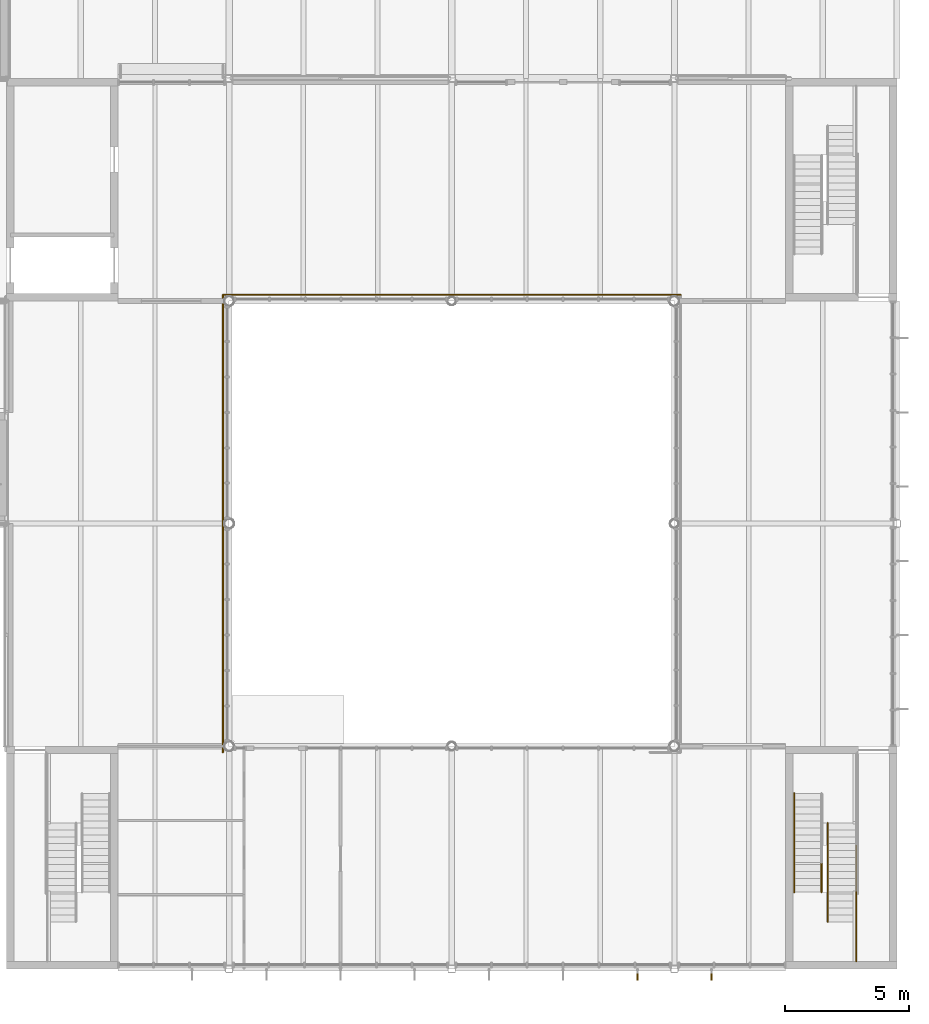
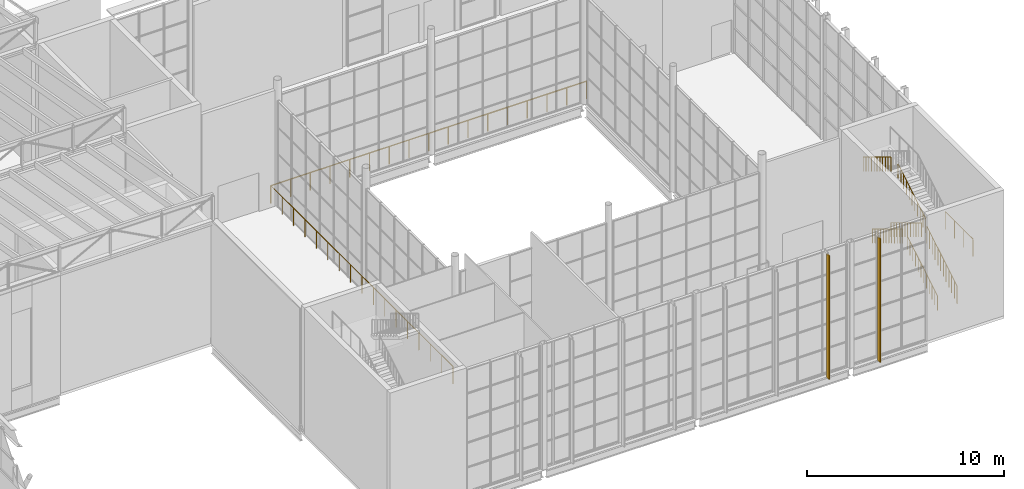
# One storey, part 88 of 90: 9 railings, 2 shading devices.
"""IFC4 building model written with IfcOpenShell, lengths in metres."""

from ifc_helpers import new_model, si_unit, direction, frame, origin, origin_2d, place, context, subcontext, project, spatial, rectangle, circle, extrude, material, type_object, element, save


model = new_model("IFC4")

# Units and contexts
model_context = context("Model", 3, precision=1e-05, world=origin(), true_north=direction((0.0, 1.0)))
body_context = subcontext(model_context, "Body", "Model", "MODEL_VIEW")
ifc_project = project(units=[si_unit("LENGTHUNIT", "METRE"), si_unit("AREAUNIT", "SQUARE_METRE"), si_unit("VOLUMEUNIT", "CUBIC_METRE"), si_unit("PLANEANGLEUNIT", "RADIAN"), si_unit("MASSUNIT", "GRAM", prefix="KILO")], contexts=[model_context])

# Site, building, storey
site_placement = place(None, origin())
site = spatial("IfcSite", under=ifc_project, at=site_placement, CompositionType="ELEMENT")
building_placement = place(site_placement, origin())
building = spatial("IfcBuilding", under=site, at=building_placement, Name="Halyard Row Museum", CompositionType="ELEMENT")
storey_placement = place(building_placement, frame((0.0, 0.0, 13.39990234375)))
storey = spatial("IfcBuildingStorey", under=building, at=storey_placement, Name="L03", CompositionType="ELEMENT", Elevation=13.39990234375)

# Railings
ifc_material_1 = material(Name="Steel Grade 300", Category="steel")
railing_type_1 = type_object("IfcRailingType", Name="Guard GR2 steel balustrade 1100", PredefinedType="GUARDRAIL", material=ifc_material_1)
railing_1_placement = place(storey_placement, frame((106.35009765625, 1.89990234375, 0.169677734375)))
element("IfcRailing", 1, at=railing_1_placement, inside=storey, type_object=railing_type_1, Name="Guard GR058", PredefinedType="GUARDRAIL", context=body_context, shape_type="SweptSolid", body=[
    extrude(circle(Radius=0.02392578125, at=origin_2d()), frame((0.0, 0.0, 1.076171875), z_axis=(0.0, 0.855578329207, 0.517673374428), x_axis=(-1.0, 0.0, 0.0)), (0.0, 0.0, 1.0), 0.327392578125),
    extrude(circle(Radius=0.02392578125, at=origin_2d()), frame((0.0, 0.280029296875, 1.24560546875), z_axis=(0.0, 0.855247904055, 0.518219087461), x_axis=(-1.0, 0.0, 0.0)), (0.0, 0.0, 1.0), 0.327392578125),
    extrude(circle(Radius=0.02392578125, at=origin_2d()), frame((0.0, 0.56005859375, 1.4150390625), z_axis=(0.0, 0.855247904055, 0.518219087461), x_axis=(-1.0, 0.0, 0.0)), (0.0, 0.0, 1.0), 0.327392578125),
    extrude(circle(Radius=0.02392578125, at=origin_2d()), frame((0.0, 0.840087890625, 1.5849609375), z_axis=(0.0, 0.855578329207, 0.517673374428), x_axis=(-1.0, 0.0, 0.0)), (0.0, 0.0, 1.0), 0.327392578125),
    extrude(circle(Radius=0.02392578125, at=origin_2d()), frame((0.0, 1.1201171875, 1.75439453125), z_axis=(0.0, 0.855247904055, 0.518219087461), x_axis=(-1.0, 0.0, 0.0)), (0.0, 0.0, 1.0), 0.327392578125),
    extrude(circle(Radius=0.02392578125, at=origin_2d()), frame((0.0, 1.400146484375, 1.923828125), z_axis=(0.0, 0.855578329207, 0.517673374428), x_axis=(-1.0, 0.0, 0.0)), (0.0, 0.0, 1.0), 0.327392578125),
    extrude(circle(Radius=0.02392578125, at=origin_2d()), frame((0.0, 1.68017578125, 2.09326171875), z_axis=(0.0, 0.855247904055, 0.518219087461), x_axis=(-1.0, 0.0, 0.0)), (0.0, 0.0, 1.0), 0.327392578125),
    extrude(circle(Radius=0.02392578125, at=origin_2d()), frame((0.0, 1.960205078125, 2.26318359375), z_axis=(0.0, 0.855378239897, 0.518003925382), x_axis=(-1.0, 0.0, 0.0)), (0.0, 0.0, 1.0), 0.3271484375),
    extrude(circle(Radius=0.02392578125, at=origin_2d()), frame((0.0, 2.239990234375, 2.4326171875), z_axis=(0.0, 0.855247904055, 0.518219087461), x_axis=(-1.0, 0.0, 0.0)), (0.0, 0.0, 1.0), 0.327392578125),
    extrude(circle(Radius=0.02392578125, at=origin_2d()), frame((0.0, 2.52001953125, 2.60205078125), z_axis=(0.0, 0.855578329207, 0.517673374428), x_axis=(-1.0, 0.0, 0.0)), (0.0, 0.0, 1.0), 0.327392578125),
    extrude(circle(Radius=0.02392578125, at=origin_2d()), frame((0.0, 2.800048828125, 2.771484375), z_axis=(0.0, 0.855247904055, 0.518219087461), x_axis=(-1.0, 0.0, 0.0)), (0.0, 0.0, 1.0), 0.327392578125),
    extrude(circle(Radius=0.02099609375, at=origin_2d()), origin(), (0.0, 0.0, 1.0), 1.052001953125),
    extrude(circle(Radius=0.02099609375, at=origin_2d()), frame((0.0, 0.280029296875, 0.16943359375)), (0.0, 0.0, 1.0), 1.052001953125),
    extrude(circle(Radius=0.02099609375, at=origin_2d()), frame((0.0, 0.56005859375, 0.339111328125)), (0.0, 0.0, 1.0), 1.052001953125),
    extrude(circle(Radius=0.02099609375, at=origin_2d()), frame((0.0, 0.840087890625, 0.5087890625)), (0.0, 0.0, 1.0), 1.052001953125),
    extrude(circle(Radius=0.02099609375, at=origin_2d()), frame((0.0, 1.1201171875, 0.67822265625)), (0.0, 0.0, 1.0), 1.052001953125),
    extrude(circle(Radius=0.02099609375, at=origin_2d()), frame((0.0, 1.400146484375, 0.847900390625)), (0.0, 0.0, 1.0), 1.052001953125),
    extrude(circle(Radius=0.02099609375, at=origin_2d()), frame((0.0, 1.68017578125, 1.017333984375)), (0.0, 0.0, 1.0), 1.052001953125),
    extrude(circle(Radius=0.02099609375, at=origin_2d()), frame((0.0, 1.960205078125, 1.18701171875)), (0.0, 0.0, 1.0), 1.052001953125),
    extrude(circle(Radius=0.02099609375, at=origin_2d()), frame((0.0, 2.239990234375, 1.3564453125)), (0.0, 0.0, 1.0), 1.052001953125),
    extrude(circle(Radius=0.02099609375, at=origin_2d()), frame((0.0, 2.52001953125, 1.526123046875)), (0.0, 0.0, 1.0), 1.052001953125),
    extrude(circle(Radius=0.02099609375, at=origin_2d()), frame((0.0, 2.800048828125, 1.695556640625)), (0.0, 0.0, 1.0), 1.052001953125),
    extrude(circle(Radius=0.02099609375, at=origin_2d()), frame((0.0, 3.080078125, 1.865234375)), (0.0, 0.0, 1.0), 1.052001953125),
])
railing_2_placement = place(storey_placement, frame((106.35009765625, 3.10009765625, 4.069580078125)))
element("IfcRailing", 2, at=railing_2_placement, inside=storey, type_object=railing_type_1, Name="Guard GR061", PredefinedType="GUARDRAIL", context=body_context, shape_type="SweptSolid", body=[
    extrude(circle(Radius=0.02392578125, at=origin_2d()), frame((0.0, 0.0, 1.076171875), z_axis=(0.0, -1.0, 0.0), x_axis=(1.0, 0.0, 0.0)), (0.0, 0.0, 1.0), 2.800048828125),
    extrude(circle(Radius=0.02099609375, at=origin_2d()), origin(), (0.0, 0.0, 1.0), 1.052001953125),
    extrude(circle(Radius=0.02099609375, at=origin_2d()), frame((0.0, -0.933349609375, 0.0)), (0.0, 0.0, 1.0), 1.052001953125),
    extrude(circle(Radius=0.02099609375, at=origin_2d()), frame((0.0, -1.86669921875, 0.0)), (0.0, 0.0, 1.0), 1.052001953125),
    extrude(circle(Radius=0.02099609375, at=origin_2d()), frame((0.0, -2.800048828125, 0.0)), (0.0, 0.0, 1.0), 1.052001953125),
])
railing_3_placement = place(storey_placement, frame((80.75, 8.75, 0.0)))
element("IfcRailing", 3, at=railing_3_placement, inside=storey, type_object=railing_type_1, Name="Guard GR206", PredefinedType="GUARDRAIL", context=body_context, shape_type="SweptSolid", body=[
    extrude(circle(Radius=0.02392578125, at=origin_2d()), frame((0.0, 0.0, 1.076171875), z_axis=(0.0, 1.0, 0.0), x_axis=(-1.0, 0.0, 0.0)), (0.0, 0.0, 1.0), 18.5),
    extrude(circle(Radius=0.02099609375, at=origin_2d()), origin(), (0.0, 0.0, 1.0), 1.052001953125),
    extrude(circle(Radius=0.02099609375, at=origin_2d()), frame((0.0, 1.15625, 0.0)), (0.0, 0.0, 1.0), 1.052001953125),
    extrude(circle(Radius=0.02099609375, at=origin_2d()), frame((0.0, 2.3125, 0.0)), (0.0, 0.0, 1.0), 1.052001953125),
    extrude(circle(Radius=0.02099609375, at=origin_2d()), frame((0.0, 3.46875, 0.0)), (0.0, 0.0, 1.0), 1.052001953125),
    extrude(circle(Radius=0.02099609375, at=origin_2d()), frame((0.0, 4.625, 0.0)), (0.0, 0.0, 1.0), 1.052001953125),
    extrude(circle(Radius=0.02099609375, at=origin_2d()), frame((0.0, 5.78125, 0.0)), (0.0, 0.0, 1.0), 1.052001953125),
    extrude(circle(Radius=0.02099609375, at=origin_2d()), frame((0.0, 6.9375, 0.0)), (0.0, 0.0, 1.0), 1.052001953125),
    extrude(circle(Radius=0.02099609375, at=origin_2d()), frame((0.0, 8.09375, 0.0)), (0.0, 0.0, 1.0), 1.052001953125),
    extrude(circle(Radius=0.02099609375, at=origin_2d()), frame((0.0, 9.25, 0.0)), (0.0, 0.0, 1.0), 1.052001953125),
    extrude(circle(Radius=0.02099609375, at=origin_2d()), frame((0.0, 10.40625, 0.0)), (0.0, 0.0, 1.0), 1.052001953125),
    extrude(circle(Radius=0.02099609375, at=origin_2d()), frame((0.0, 11.5625, 0.0)), (0.0, 0.0, 1.0), 1.052001953125),
    extrude(circle(Radius=0.02099609375, at=origin_2d()), frame((0.0, 12.71875, 0.0)), (0.0, 0.0, 1.0), 1.052001953125),
    extrude(circle(Radius=0.02099609375, at=origin_2d()), frame((0.0, 13.875, 0.0)), (0.0, 0.0, 1.0), 1.052001953125),
    extrude(circle(Radius=0.02099609375, at=origin_2d()), frame((0.0, 15.03125, 0.0)), (0.0, 0.0, 1.0), 1.052001953125),
    extrude(circle(Radius=0.02099609375, at=origin_2d()), frame((0.0, 16.1875, 0.0)), (0.0, 0.0, 1.0), 1.052001953125),
    extrude(circle(Radius=0.02099609375, at=origin_2d()), frame((0.0, 17.34375, 0.0)), (0.0, 0.0, 1.0), 1.052001953125),
    extrude(circle(Radius=0.02099609375, at=origin_2d()), frame((0.0, 18.5, 0.0)), (0.0, 0.0, 1.0), 1.052001953125),
])
railing_4_placement = place(storey_placement, frame((80.75, 27.25, 0.0)))
element("IfcRailing", 4, at=railing_4_placement, inside=storey, type_object=railing_type_1, Name="Guard GR209", PredefinedType="GUARDRAIL", context=body_context, shape_type="SweptSolid", body=[
    extrude(circle(Radius=0.02392578125, at=origin_2d()), frame((0.0, 0.0, 1.076171875), z_axis=(1.0, 0.0, 0.0), x_axis=(0.0, 1.0, 0.0)), (0.0, 0.0, 1.0), 18.5),
    extrude(circle(Radius=0.02099609375, at=origin_2d()), origin(), (0.0, 0.0, 1.0), 1.052001953125),
    extrude(circle(Radius=0.02099609375, at=origin_2d()), frame((1.15625, 0.0, 0.0)), (0.0, 0.0, 1.0), 1.052001953125),
    extrude(circle(Radius=0.02099609375, at=origin_2d()), frame((2.3125, 0.0, 0.0)), (0.0, 0.0, 1.0), 1.052001953125),
    extrude(circle(Radius=0.02099609375, at=origin_2d()), frame((3.46875, 0.0, 0.0)), (0.0, 0.0, 1.0), 1.052001953125),
    extrude(circle(Radius=0.02099609375, at=origin_2d()), frame((4.625, 0.0, 0.0)), (0.0, 0.0, 1.0), 1.052001953125),
    extrude(circle(Radius=0.02099609375, at=origin_2d()), frame((5.78125, 0.0, 0.0)), (0.0, 0.0, 1.0), 1.052001953125),
    extrude(circle(Radius=0.02099609375, at=origin_2d()), frame((6.9375, 0.0, 0.0)), (0.0, 0.0, 1.0), 1.052001953125),
    extrude(circle(Radius=0.02099609375, at=origin_2d()), frame((8.09375, 0.0, 0.0)), (0.0, 0.0, 1.0), 1.052001953125),
    extrude(circle(Radius=0.02099609375, at=origin_2d()), frame((9.25, 0.0, 0.0)), (0.0, 0.0, 1.0), 1.052001953125),
    extrude(circle(Radius=0.02099609375, at=origin_2d()), frame((10.40625, 0.0, 0.0)), (0.0, 0.0, 1.0), 1.052001953125),
    extrude(circle(Radius=0.02099609375, at=origin_2d()), frame((11.5625, 0.0, 0.0)), (0.0, 0.0, 1.0), 1.052001953125),
    extrude(circle(Radius=0.02099609375, at=origin_2d()), frame((12.71875, 0.0, 0.0)), (0.0, 0.0, 1.0), 1.052001953125),
    extrude(circle(Radius=0.02099609375, at=origin_2d()), frame((13.875, 0.0, 0.0)), (0.0, 0.0, 1.0), 1.052001953125),
    extrude(circle(Radius=0.02099609375, at=origin_2d()), frame((15.03125, 0.0, 0.0)), (0.0, 0.0, 1.0), 1.052001953125),
    extrude(circle(Radius=0.02099609375, at=origin_2d()), frame((16.1875, 0.0, 0.0)), (0.0, 0.0, 1.0), 1.052001953125),
    extrude(circle(Radius=0.02099609375, at=origin_2d()), frame((17.34375, 0.0, 0.0)), (0.0, 0.0, 1.0), 1.052001953125),
    extrude(circle(Radius=0.02099609375, at=origin_2d()), frame((18.5, 0.0, 0.0)), (0.0, 0.0, 1.0), 1.052001953125),
])
ifc_material_2 = material(Name="Steel Grade 300", Category="steel")
railing_type_2 = type_object("IfcRailingType", Name="Handrail HR2 steel 900", PredefinedType="HANDRAIL", material=ifc_material_2)
railing_5_placement = place(storey_placement, frame((105.199951171875, 1.89990234375, 0.169677734375)))
element("IfcRailing", 5, at=railing_5_placement, inside=storey, type_object=railing_type_2, Name="Handrail HR085", PredefinedType="HANDRAIL", context=body_context, shape_type="SweptSolid", body=[
    extrude(circle(Radius=0.02392578125, at=origin_2d()), frame((0.0, 0.0, 0.8759765625), z_axis=(0.0, 0.855578329207, 0.517673374428), x_axis=(-1.0, 0.0, 0.0)), (0.0, 0.0, 1.0), 0.327392578125),
    extrude(circle(Radius=0.02392578125, at=origin_2d()), frame((0.0, 0.280029296875, 1.04541015625), z_axis=(0.0, 0.855247904055, 0.518219087461), x_axis=(-1.0, 0.0, 0.0)), (0.0, 0.0, 1.0), 0.327392578125),
    extrude(circle(Radius=0.02392578125, at=origin_2d()), frame((0.0, 0.56005859375, 1.21484375), z_axis=(0.0, 0.855247904055, 0.518219087461), x_axis=(-1.0, 0.0, 0.0)), (0.0, 0.0, 1.0), 0.327392578125),
    extrude(circle(Radius=0.02392578125, at=origin_2d()), frame((0.0, 0.840087890625, 1.384765625), z_axis=(0.0, 0.855578329207, 0.517673374428), x_axis=(-1.0, 0.0, 0.0)), (0.0, 0.0, 1.0), 0.327392578125),
    extrude(circle(Radius=0.02392578125, at=origin_2d()), frame((0.0, 1.1201171875, 1.55419921875), z_axis=(0.0, 0.855247904055, 0.518219087461), x_axis=(-1.0, 0.0, 0.0)), (0.0, 0.0, 1.0), 0.327392578125),
    extrude(circle(Radius=0.02392578125, at=origin_2d()), frame((0.0, 1.400146484375, 1.7236328125), z_axis=(0.0, 0.855578329207, 0.517673374428), x_axis=(-1.0, 0.0, 0.0)), (0.0, 0.0, 1.0), 0.327392578125),
    extrude(circle(Radius=0.02392578125, at=origin_2d()), frame((0.0, 1.68017578125, 1.89306640625), z_axis=(0.0, 0.855247904055, 0.518219087461), x_axis=(-1.0, 0.0, 0.0)), (0.0, 0.0, 1.0), 0.327392578125),
    extrude(circle(Radius=0.02392578125, at=origin_2d()), frame((0.0, 1.960205078125, 2.06298828125), z_axis=(0.0, 0.855378239897, 0.518003925382), x_axis=(-1.0, 0.0, 0.0)), (0.0, 0.0, 1.0), 0.3271484375),
    extrude(circle(Radius=0.02392578125, at=origin_2d()), frame((0.0, 2.239990234375, 2.232421875), z_axis=(0.0, 0.855247904055, 0.518219087461), x_axis=(-1.0, 0.0, 0.0)), (0.0, 0.0, 1.0), 0.327392578125),
    extrude(circle(Radius=0.02392578125, at=origin_2d()), frame((0.0, 2.52001953125, 2.40185546875), z_axis=(0.0, 0.855578329207, 0.517673374428), x_axis=(-1.0, 0.0, 0.0)), (0.0, 0.0, 1.0), 0.327392578125),
    extrude(circle(Radius=0.02392578125, at=origin_2d()), frame((0.0, 2.800048828125, 2.5712890625), z_axis=(0.0, 0.855247904055, 0.518219087461), x_axis=(-1.0, 0.0, 0.0)), (0.0, 0.0, 1.0), 0.327392578125),
    extrude(circle(Radius=0.02099609375, at=origin_2d()), origin(), (0.0, 0.0, 1.0), 0.851806640625),
    extrude(circle(Radius=0.02099609375, at=origin_2d()), frame((0.0, 0.280029296875, 0.16943359375)), (0.0, 0.0, 1.0), 0.851806640625),
    extrude(circle(Radius=0.02099609375, at=origin_2d()), frame((0.0, 0.56005859375, 0.339111328125)), (0.0, 0.0, 1.0), 0.851806640625),
    extrude(circle(Radius=0.02099609375, at=origin_2d()), frame((0.0, 0.840087890625, 0.5087890625)), (0.0, 0.0, 1.0), 0.851806640625),
    extrude(circle(Radius=0.02099609375, at=origin_2d()), frame((0.0, 1.1201171875, 0.67822265625)), (0.0, 0.0, 1.0), 0.851806640625),
    extrude(circle(Radius=0.02099609375, at=origin_2d()), frame((0.0, 1.400146484375, 0.847900390625)), (0.0, 0.0, 1.0), 0.851806640625),
    extrude(circle(Radius=0.02099609375, at=origin_2d()), frame((0.0, 1.68017578125, 1.017333984375)), (0.0, 0.0, 1.0), 0.851806640625),
    extrude(circle(Radius=0.02099609375, at=origin_2d()), frame((0.0, 1.960205078125, 1.18701171875)), (0.0, 0.0, 1.0), 0.851806640625),
    extrude(circle(Radius=0.02099609375, at=origin_2d()), frame((0.0, 2.239990234375, 1.3564453125)), (0.0, 0.0, 1.0), 0.851806640625),
    extrude(circle(Radius=0.02099609375, at=origin_2d()), frame((0.0, 2.52001953125, 1.526123046875)), (0.0, 0.0, 1.0), 0.851806640625),
    extrude(circle(Radius=0.02099609375, at=origin_2d()), frame((0.0, 2.800048828125, 1.695556640625)), (0.0, 0.0, 1.0), 0.851806640625),
    extrude(circle(Radius=0.02099609375, at=origin_2d()), frame((0.0, 3.080078125, 1.865234375)), (0.0, 0.0, 1.0), 0.851806640625),
])
railing_6_placement = place(storey_placement, frame((103.85009765625, 6.179931640625, 2.204345703125)))
element("IfcRailing", 6, at=railing_6_placement, inside=storey, type_object=railing_type_2, Name="Handrail HR086", PredefinedType="HANDRAIL", context=body_context, shape_type="SweptSolid", body=[
    extrude(circle(Radius=0.02392578125, at=origin_2d()), frame((0.0, 0.0, 0.8759765625), z_axis=(0.0, -0.855247904055, 0.518219087461), x_axis=(1.0, 0.0, 0.0)), (0.0, 0.0, 1.0), 0.327392578125),
    extrude(circle(Radius=0.02392578125, at=origin_2d()), frame((0.0, -0.280029296875, 1.04541015625), z_axis=(0.0, -0.855378239897, 0.518003925382), x_axis=(1.0, 0.0, 0.0)), (0.0, 0.0, 1.0), 0.3271484375),
    extrude(circle(Radius=0.02392578125, at=origin_2d()), frame((0.0, -0.559814453125, 1.21484375), z_axis=(0.0, -0.855247904055, 0.518219087461), x_axis=(1.0, 0.0, 0.0)), (0.0, 0.0, 1.0), 0.327392578125),
    extrude(circle(Radius=0.02392578125, at=origin_2d()), frame((0.0, -0.83984375, 1.384765625), z_axis=(0.0, -0.855247904055, 0.518219087461), x_axis=(1.0, 0.0, 0.0)), (0.0, 0.0, 1.0), 0.327392578125),
    extrude(circle(Radius=0.02392578125, at=origin_2d()), frame((0.0, -1.119873046875, 1.55419921875), z_axis=(0.0, -0.855578329207, 0.517673374428), x_axis=(1.0, 0.0, 0.0)), (0.0, 0.0, 1.0), 0.327392578125),
    extrude(circle(Radius=0.02392578125, at=origin_2d()), frame((0.0, -1.39990234375, 1.7236328125), z_axis=(0.0, -0.855247904055, 0.518219087461), x_axis=(1.0, 0.0, 0.0)), (0.0, 0.0, 1.0), 0.327392578125),
    extrude(circle(Radius=0.02392578125, at=origin_2d()), frame((0.0, -1.679931640625, 1.8935546875), z_axis=(0.0, -0.855578329207, 0.517673374428), x_axis=(1.0, 0.0, 0.0)), (0.0, 0.0, 1.0), 0.327392578125),
    extrude(circle(Radius=0.02392578125, at=origin_2d()), frame((0.0, -1.9599609375, 2.06298828125), z_axis=(0.0, -0.855247904055, 0.518219087461), x_axis=(1.0, 0.0, 0.0)), (0.0, 0.0, 1.0), 0.327392578125),
    extrude(circle(Radius=0.02392578125, at=origin_2d()), frame((0.0, -2.239990234375, 2.232421875), z_axis=(0.0, -0.855578329207, 0.517673374428), x_axis=(1.0, 0.0, 0.0)), (0.0, 0.0, 1.0), 0.327392578125),
    extrude(circle(Radius=0.02392578125, at=origin_2d()), frame((0.0, -2.52001953125, 2.40185546875), z_axis=(0.0, -0.855247904055, 0.518219087461), x_axis=(1.0, 0.0, 0.0)), (0.0, 0.0, 1.0), 0.327392578125),
    extrude(circle(Radius=0.02392578125, at=origin_2d()), frame((0.0, -2.800048828125, 2.57177734375), z_axis=(0.0, -0.855378239897, 0.518003925382), x_axis=(1.0, 0.0, 0.0)), (0.0, 0.0, 1.0), 0.3271484375),
    extrude(circle(Radius=0.02099609375, at=origin_2d()), origin(), (0.0, 0.0, 1.0), 0.851806640625),
    extrude(circle(Radius=0.02099609375, at=origin_2d()), frame((0.0, -0.280029296875, 0.169677734375)), (0.0, 0.0, 1.0), 0.851806640625),
    extrude(circle(Radius=0.02099609375, at=origin_2d()), frame((0.0, -0.559814453125, 0.339111328125)), (0.0, 0.0, 1.0), 0.851806640625),
    extrude(circle(Radius=0.02099609375, at=origin_2d()), frame((0.0, -0.83984375, 0.5087890625)), (0.0, 0.0, 1.0), 0.851806640625),
    extrude(circle(Radius=0.02099609375, at=origin_2d()), frame((0.0, -1.119873046875, 0.678466796875)), (0.0, 0.0, 1.0), 0.851806640625),
    extrude(circle(Radius=0.02099609375, at=origin_2d()), frame((0.0, -1.39990234375, 0.847900390625)), (0.0, 0.0, 1.0), 0.851806640625),
    extrude(circle(Radius=0.02099609375, at=origin_2d()), frame((0.0, -1.679931640625, 1.017578125)), (0.0, 0.0, 1.0), 0.851806640625),
    extrude(circle(Radius=0.02099609375, at=origin_2d()), frame((0.0, -1.9599609375, 1.18701171875)), (0.0, 0.0, 1.0), 0.851806640625),
    extrude(circle(Radius=0.02099609375, at=origin_2d()), frame((0.0, -2.239990234375, 1.356689453125)), (0.0, 0.0, 1.0), 0.851806640625),
    extrude(circle(Radius=0.02099609375, at=origin_2d()), frame((0.0, -2.52001953125, 1.526123046875)), (0.0, 0.0, 1.0), 0.851806640625),
    extrude(circle(Radius=0.02099609375, at=origin_2d()), frame((0.0, -2.800048828125, 1.69580078125)), (0.0, 0.0, 1.0), 0.851806640625),
    extrude(circle(Radius=0.02099609375, at=origin_2d()), frame((0.0, -3.079833984375, 1.865234375)), (0.0, 0.0, 1.0), 0.851806640625),
])
railing_7_placement = place(storey_placement, frame((104.949951171875, 6.179931640625, 2.204345703125)))
element("IfcRailing", 7, at=railing_7_placement, inside=storey, type_object=railing_type_2, Name="Handrail HR087", PredefinedType="HANDRAIL", context=body_context, shape_type="SweptSolid", body=[
    extrude(circle(Radius=0.02392578125, at=origin_2d()), frame((0.0, 0.0, 0.8759765625), z_axis=(0.0, -0.855247904055, 0.518219087461), x_axis=(1.0, 0.0, 0.0)), (0.0, 0.0, 1.0), 0.327392578125),
    extrude(circle(Radius=0.02392578125, at=origin_2d()), frame((0.0, -0.280029296875, 1.04541015625), z_axis=(0.0, -0.855378239897, 0.518003925382), x_axis=(1.0, 0.0, 0.0)), (0.0, 0.0, 1.0), 0.3271484375),
    extrude(circle(Radius=0.02392578125, at=origin_2d()), frame((0.0, -0.559814453125, 1.21484375), z_axis=(0.0, -0.855247904055, 0.518219087461), x_axis=(1.0, 0.0, 0.0)), (0.0, 0.0, 1.0), 0.327392578125),
    extrude(circle(Radius=0.02392578125, at=origin_2d()), frame((0.0, -0.83984375, 1.384765625), z_axis=(0.0, -0.855247904055, 0.518219087461), x_axis=(1.0, 0.0, 0.0)), (0.0, 0.0, 1.0), 0.327392578125),
    extrude(circle(Radius=0.02392578125, at=origin_2d()), frame((0.0, -1.119873046875, 1.55419921875), z_axis=(0.0, -0.855578329207, 0.517673374428), x_axis=(1.0, 0.0, 0.0)), (0.0, 0.0, 1.0), 0.327392578125),
    extrude(circle(Radius=0.02392578125, at=origin_2d()), frame((0.0, -1.39990234375, 1.7236328125), z_axis=(0.0, -0.855247904055, 0.518219087461), x_axis=(1.0, 0.0, 0.0)), (0.0, 0.0, 1.0), 0.327392578125),
    extrude(circle(Radius=0.02392578125, at=origin_2d()), frame((0.0, -1.679931640625, 1.8935546875), z_axis=(0.0, -0.855578329207, 0.517673374428), x_axis=(1.0, 0.0, 0.0)), (0.0, 0.0, 1.0), 0.327392578125),
    extrude(circle(Radius=0.02392578125, at=origin_2d()), frame((0.0, -1.9599609375, 2.06298828125), z_axis=(0.0, -0.855247904055, 0.518219087461), x_axis=(1.0, 0.0, 0.0)), (0.0, 0.0, 1.0), 0.327392578125),
    extrude(circle(Radius=0.02392578125, at=origin_2d()), frame((0.0, -2.239990234375, 2.232421875), z_axis=(0.0, -0.855578329207, 0.517673374428), x_axis=(1.0, 0.0, 0.0)), (0.0, 0.0, 1.0), 0.327392578125),
    extrude(circle(Radius=0.02392578125, at=origin_2d()), frame((0.0, -2.52001953125, 2.40185546875), z_axis=(0.0, -0.855247904055, 0.518219087461), x_axis=(1.0, 0.0, 0.0)), (0.0, 0.0, 1.0), 0.327392578125),
    extrude(circle(Radius=0.02392578125, at=origin_2d()), frame((0.0, -2.800048828125, 2.57177734375), z_axis=(0.0, -0.855378239897, 0.518003925382), x_axis=(1.0, 0.0, 0.0)), (0.0, 0.0, 1.0), 0.3271484375),
    extrude(circle(Radius=0.02099609375, at=origin_2d()), origin(), (0.0, 0.0, 1.0), 0.851806640625),
    extrude(circle(Radius=0.02099609375, at=origin_2d()), frame((0.0, -0.280029296875, 0.169677734375)), (0.0, 0.0, 1.0), 0.851806640625),
    extrude(circle(Radius=0.02099609375, at=origin_2d()), frame((0.0, -0.559814453125, 0.339111328125)), (0.0, 0.0, 1.0), 0.851806640625),
    extrude(circle(Radius=0.02099609375, at=origin_2d()), frame((0.0, -0.83984375, 0.5087890625)), (0.0, 0.0, 1.0), 0.851806640625),
    extrude(circle(Radius=0.02099609375, at=origin_2d()), frame((0.0, -1.119873046875, 0.678466796875)), (0.0, 0.0, 1.0), 0.851806640625),
    extrude(circle(Radius=0.02099609375, at=origin_2d()), frame((0.0, -1.39990234375, 0.847900390625)), (0.0, 0.0, 1.0), 0.851806640625),
    extrude(circle(Radius=0.02099609375, at=origin_2d()), frame((0.0, -1.679931640625, 1.017578125)), (0.0, 0.0, 1.0), 0.851806640625),
    extrude(circle(Radius=0.02099609375, at=origin_2d()), frame((0.0, -1.9599609375, 1.18701171875)), (0.0, 0.0, 1.0), 0.851806640625),
    extrude(circle(Radius=0.02099609375, at=origin_2d()), frame((0.0, -2.239990234375, 1.356689453125)), (0.0, 0.0, 1.0), 0.851806640625),
    extrude(circle(Radius=0.02099609375, at=origin_2d()), frame((0.0, -2.52001953125, 1.526123046875)), (0.0, 0.0, 1.0), 0.851806640625),
    extrude(circle(Radius=0.02099609375, at=origin_2d()), frame((0.0, -2.800048828125, 1.69580078125)), (0.0, 0.0, 1.0), 0.851806640625),
    extrude(circle(Radius=0.02099609375, at=origin_2d()), frame((0.0, -3.079833984375, 1.865234375)), (0.0, 0.0, 1.0), 0.851806640625),
])
railing_8_placement = place(storey_placement, frame((105.199951171875, 3.10009765625, 4.2392578125)))
element("IfcRailing", 8, at=railing_8_placement, inside=storey, type_object=railing_type_2, Name="Handrail HR088", PredefinedType="HANDRAIL", context=body_context, shape_type="SweptSolid", body=[
    extrude(circle(Radius=0.02392578125, at=origin_2d()), frame((0.0, 0.0, 0.8759765625), z_axis=(0.0, 0.855378239897, 0.518003925382), x_axis=(-1.0, 0.0, 0.0)), (0.0, 0.0, 1.0), 0.3271484375),
    extrude(circle(Radius=0.02392578125, at=origin_2d()), frame((0.0, 0.27978515625, 1.04541015625), z_axis=(0.0, 0.855247904055, 0.518219087461), x_axis=(-1.0, 0.0, 0.0)), (0.0, 0.0, 1.0), 0.327392578125),
    extrude(circle(Radius=0.02392578125, at=origin_2d()), frame((0.0, 0.559814453125, 1.21484375), z_axis=(0.0, 0.855578329207, 0.517673374428), x_axis=(-1.0, 0.0, 0.0)), (0.0, 0.0, 1.0), 0.327392578125),
    extrude(circle(Radius=0.02392578125, at=origin_2d()), frame((0.0, 0.83984375, 1.38427734375), z_axis=(0.0, 0.855247904055, 0.518219087461), x_axis=(-1.0, 0.0, 0.0)), (0.0, 0.0, 1.0), 0.327392578125),
    extrude(circle(Radius=0.02392578125, at=origin_2d()), frame((0.0, 1.119873046875, 1.55419921875), z_axis=(0.0, 0.855247904055, 0.518219087461), x_axis=(-1.0, 0.0, 0.0)), (0.0, 0.0, 1.0), 0.327392578125),
    extrude(circle(Radius=0.02392578125, at=origin_2d()), frame((0.0, 1.39990234375, 1.7236328125), z_axis=(0.0, 0.855578329207, 0.517673374428), x_axis=(-1.0, 0.0, 0.0)), (0.0, 0.0, 1.0), 0.327392578125),
    extrude(circle(Radius=0.02392578125, at=origin_2d()), frame((0.0, 1.679931640625, 1.89306640625), z_axis=(0.0, 0.855247904055, 0.518219087461), x_axis=(-1.0, 0.0, 0.0)), (0.0, 0.0, 1.0), 0.327392578125),
    extrude(circle(Radius=0.02392578125, at=origin_2d()), frame((0.0, 1.9599609375, 2.06298828125), z_axis=(0.0, 0.855578329207, 0.517673374428), x_axis=(-1.0, 0.0, 0.0)), (0.0, 0.0, 1.0), 0.327392578125),
    extrude(circle(Radius=0.02392578125, at=origin_2d()), frame((0.0, 2.239990234375, 2.232421875), z_axis=(0.0, 0.855247904055, 0.518219087461), x_axis=(-1.0, 0.0, 0.0)), (0.0, 0.0, 1.0), 0.327392578125),
    extrude(circle(Radius=0.02392578125, at=origin_2d()), frame((0.0, 2.52001953125, 2.40185546875), z_axis=(0.0, 0.855378239897, 0.518003925382), x_axis=(-1.0, 0.0, 0.0)), (0.0, 0.0, 1.0), 0.3271484375),
    extrude(circle(Radius=0.02099609375, at=origin_2d()), origin(), (0.0, 0.0, 1.0), 0.851806640625),
    extrude(circle(Radius=0.02099609375, at=origin_2d()), frame((0.0, 0.27978515625, 0.16943359375)), (0.0, 0.0, 1.0), 0.851806640625),
    extrude(circle(Radius=0.02099609375, at=origin_2d()), frame((0.0, 0.559814453125, 0.339111328125)), (0.0, 0.0, 1.0), 0.851806640625),
    extrude(circle(Radius=0.02099609375, at=origin_2d()), frame((0.0, 0.83984375, 0.508544921875)), (0.0, 0.0, 1.0), 0.851806640625),
    extrude(circle(Radius=0.02099609375, at=origin_2d()), frame((0.0, 1.119873046875, 0.67822265625)), (0.0, 0.0, 1.0), 0.851806640625),
    extrude(circle(Radius=0.02099609375, at=origin_2d()), frame((0.0, 1.39990234375, 0.847900390625)), (0.0, 0.0, 1.0), 0.851806640625),
    extrude(circle(Radius=0.02099609375, at=origin_2d()), frame((0.0, 1.679931640625, 1.017333984375)), (0.0, 0.0, 1.0), 0.851806640625),
    extrude(circle(Radius=0.02099609375, at=origin_2d()), frame((0.0, 1.9599609375, 1.18701171875)), (0.0, 0.0, 1.0), 0.851806640625),
    extrude(circle(Radius=0.02099609375, at=origin_2d()), frame((0.0, 2.239990234375, 1.3564453125)), (0.0, 0.0, 1.0), 0.851806640625),
    extrude(circle(Radius=0.02099609375, at=origin_2d()), frame((0.0, 2.52001953125, 1.526123046875)), (0.0, 0.0, 1.0), 0.851806640625),
    extrude(circle(Radius=0.02099609375, at=origin_2d()), frame((0.0, 2.7998046875, 1.695556640625)), (0.0, 0.0, 1.0), 0.851806640625),
])
railing_9_placement = place(storey_placement, frame((103.85009765625, 7.10009765625, 6.1044921875)))
element("IfcRailing", 9, at=railing_9_placement, inside=storey, type_object=railing_type_2, Name="Handrail HR089", PredefinedType="HANDRAIL", context=body_context, shape_type="SweptSolid", body=[
    extrude(circle(Radius=0.02392578125, at=origin_2d()), frame((0.0, 0.0, 0.8759765625), z_axis=(0.0, -0.855578329207, 0.517673374428), x_axis=(1.0, 0.0, 0.0)), (0.0, 0.0, 1.0), 0.327392578125),
    extrude(circle(Radius=0.02392578125, at=origin_2d()), frame((0.0, -0.280029296875, 1.04541015625), z_axis=(0.0, -0.855247904055, 0.518219087461), x_axis=(1.0, 0.0, 0.0)), (0.0, 0.0, 1.0), 0.327392578125),
    extrude(circle(Radius=0.02392578125, at=origin_2d()), frame((0.0, -0.56005859375, 1.21484375), z_axis=(0.0, -0.855578329207, 0.517673374428), x_axis=(1.0, 0.0, 0.0)), (0.0, 0.0, 1.0), 0.327392578125),
    extrude(circle(Radius=0.02392578125, at=origin_2d()), frame((0.0, -0.840087890625, 1.38427734375), z_axis=(0.0, -0.855247904055, 0.518219087461), x_axis=(1.0, 0.0, 0.0)), (0.0, 0.0, 1.0), 0.327392578125),
    extrude(circle(Radius=0.02392578125, at=origin_2d()), frame((0.0, -1.1201171875, 1.55419921875), z_axis=(0.0, -0.855247904055, 0.518219087461), x_axis=(1.0, 0.0, 0.0)), (0.0, 0.0, 1.0), 0.327392578125),
    extrude(circle(Radius=0.02392578125, at=origin_2d()), frame((0.0, -1.400146484375, 1.7236328125), z_axis=(0.0, -0.855578329207, 0.517673374428), x_axis=(1.0, 0.0, 0.0)), (0.0, 0.0, 1.0), 0.327392578125),
    extrude(circle(Radius=0.02392578125, at=origin_2d()), frame((0.0, -1.68017578125, 1.89306640625), z_axis=(0.0, -0.855247904055, 0.518219087461), x_axis=(1.0, 0.0, 0.0)), (0.0, 0.0, 1.0), 0.327392578125),
    extrude(circle(Radius=0.02392578125, at=origin_2d()), frame((0.0, -1.960205078125, 2.06298828125), z_axis=(0.0, -0.855378239897, 0.518003925382), x_axis=(1.0, 0.0, 0.0)), (0.0, 0.0, 1.0), 0.3271484375),
    extrude(circle(Radius=0.02392578125, at=origin_2d()), frame((0.0, -2.239990234375, 2.232421875), z_axis=(0.0, -0.855247904055, 0.518219087461), x_axis=(1.0, 0.0, 0.0)), (0.0, 0.0, 1.0), 0.327392578125),
    extrude(circle(Radius=0.02392578125, at=origin_2d()), frame((0.0, -2.52001953125, 2.40185546875), z_axis=(0.0, -0.855578329207, 0.517673374428), x_axis=(1.0, 0.0, 0.0)), (0.0, 0.0, 1.0), 0.327392578125),
    extrude(circle(Radius=0.02099609375, at=origin_2d()), origin(), (0.0, 0.0, 1.0), 0.851806640625),
    extrude(circle(Radius=0.02099609375, at=origin_2d()), frame((0.0, -0.280029296875, 0.16943359375)), (0.0, 0.0, 1.0), 0.851806640625),
    extrude(circle(Radius=0.02099609375, at=origin_2d()), frame((0.0, -0.56005859375, 0.339111328125)), (0.0, 0.0, 1.0), 0.851806640625),
    extrude(circle(Radius=0.02099609375, at=origin_2d()), frame((0.0, -0.840087890625, 0.508544921875)), (0.0, 0.0, 1.0), 0.851806640625),
    extrude(circle(Radius=0.02099609375, at=origin_2d()), frame((0.0, -1.1201171875, 0.67822265625)), (0.0, 0.0, 1.0), 0.851806640625),
    extrude(circle(Radius=0.02099609375, at=origin_2d()), frame((0.0, -1.400146484375, 0.847900390625)), (0.0, 0.0, 1.0), 0.851806640625),
    extrude(circle(Radius=0.02099609375, at=origin_2d()), frame((0.0, -1.68017578125, 1.017333984375)), (0.0, 0.0, 1.0), 0.851806640625),
    extrude(circle(Radius=0.02099609375, at=origin_2d()), frame((0.0, -1.960205078125, 1.18701171875)), (0.0, 0.0, 1.0), 0.851806640625),
    extrude(circle(Radius=0.02099609375, at=origin_2d()), frame((0.0, -2.239990234375, 1.3564453125)), (0.0, 0.0, 1.0), 0.851806640625),
    extrude(circle(Radius=0.02099609375, at=origin_2d()), frame((0.0, -2.52001953125, 1.526123046875)), (0.0, 0.0, 1.0), 0.851806640625),
    extrude(circle(Radius=0.02099609375, at=origin_2d()), frame((0.0, -2.800048828125, 1.695556640625)), (0.0, 0.0, 1.0), 0.851806640625),
])

# Shading devices
ifc_material_3 = material(Name="Glue-laminated timber GL12, oiled", Category="wood")
shading_device_type = type_object("IfcShadingDeviceType", Name="Timber fin 60 x 250", PredefinedType="USERDEFINED", material=ifc_material_3)
for number, where, z_axis, x_axis, name in (
    (10, (97.5, -0.324951171875, 0.000244140625), (0.0, 0.0, 1.0), (1.0, 0.0, 0.0), "Timber fin"),
    (11, (100.5, -0.324951171875, 0.000244140625), (0.0, 0.0, 1.0), (1.0, 0.0, 0.0), "Timber fin"),
):
    element("IfcShadingDevice", number, at=place(storey_placement, frame(where, z_axis=z_axis, x_axis=x_axis)), inside=storey, type_object=shading_device_type, Name=name, ObjectType="FIN", PredefinedType="USERDEFINED", context=body_context, shape_type="SweptSolid", body=[
        extrude(rectangle(XDim=0.06005859375, YDim=0.25, at=origin_2d()), origin(), (0.0, 0.0, 1.0), 7.64990234375),
    ])

save(model, "model.ifc")
